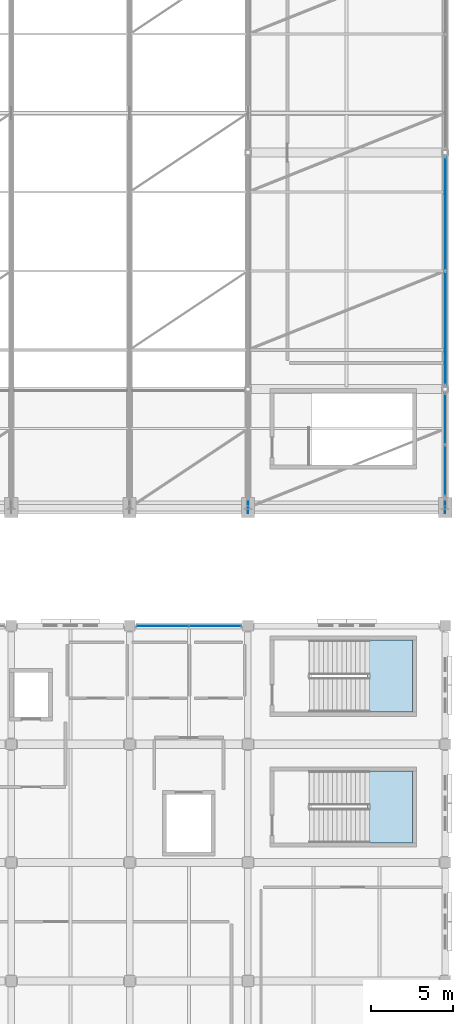
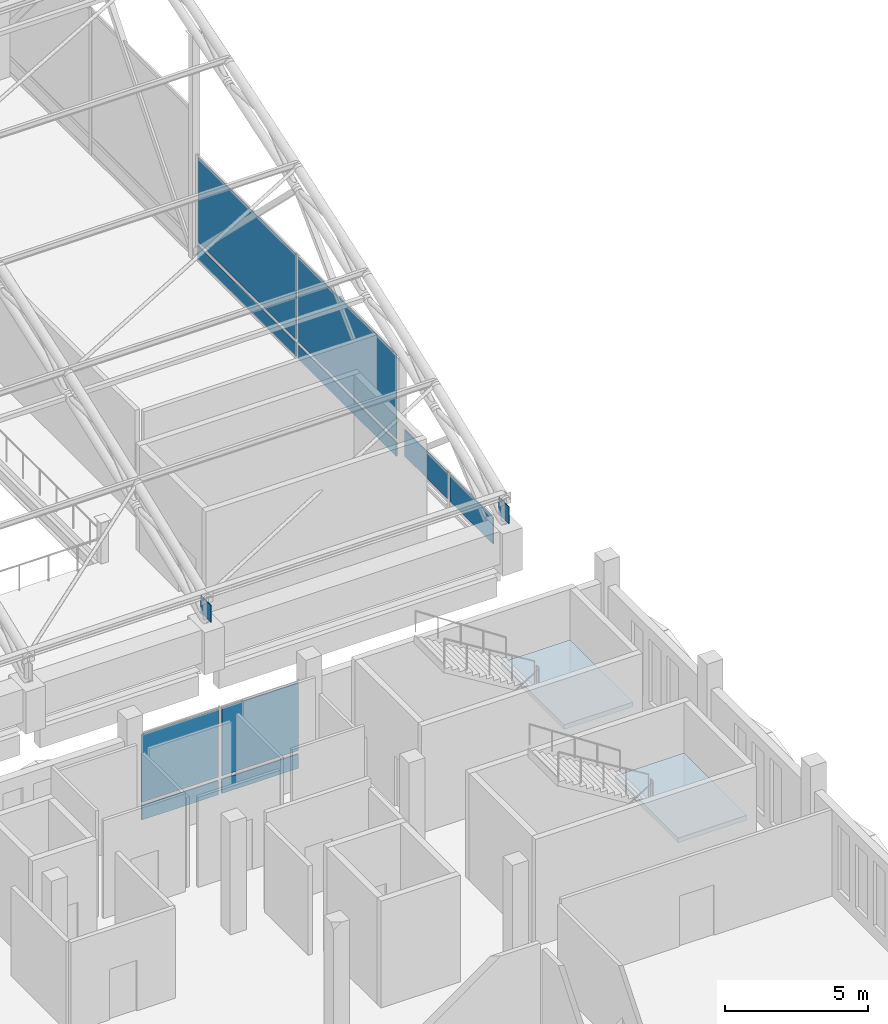
# One storey, part 65 of 116: 12 plates, 2 slabs, 5 elements without a shape of their own.
"""IFC4 building model written with IfcOpenShell, lengths in metres."""

from ifc_helpers import new_model, si_unit, direction, frame, origin, origin_2d, place, context, subcontext, project, spatial, polyline, rectangle, outline, extrude, material, layer, layer_set, type_object, element, aggregate, save


model = new_model("IFC4")

# Units and contexts
model_context = context("Model", 3, precision=1e-05, world=origin(), true_north=direction((0.0, 1.0)))
body_context = subcontext(model_context, "Body", "Model", "MODEL_VIEW")
ifc_project = project(units=[si_unit("LENGTHUNIT", "METRE"), si_unit("AREAUNIT", "SQUARE_METRE"), si_unit("VOLUMEUNIT", "CUBIC_METRE"), si_unit("PLANEANGLEUNIT", "RADIAN"), si_unit("MASSUNIT", "GRAM", prefix="KILO")], contexts=[model_context])

# Site, building, storey
site_placement = place(None, origin())
site = spatial("IfcSite", under=ifc_project, at=site_placement, CompositionType="ELEMENT")
building_placement = place(site_placement, origin())
building = spatial("IfcBuilding", under=site, at=building_placement, Name="Cendralis Lancet Convention Centre", CompositionType="ELEMENT")
storey_placement = place(building_placement, frame((0.0, 0.0, 15.0)))
storey = spatial("IfcBuildingStorey", under=building, at=storey_placement, Name="L03", CompositionType="ELEMENT", Elevation=15.0)

# Curtain wall, plates
ifc_material_1 = material(Name="Anodised bronze architectural aluminium", Category="aluminium")
curtain_wall_type_1 = type_object("IfcCurtainWallType", Name="ARC-CW-PL02", PredefinedType="USERDEFINED", material=ifc_material_1)
curtain_wall_1_placement = place(storey_placement, origin())
curtain_wall_1 = element("IfcCurtainWall", 1, at=curtain_wall_1_placement, inside=storey, type_object=curtain_wall_type_1, Name="L03 Curtain Wall CW-PL2 #141", ObjectType="CURTAIN WALL", PredefinedType="USERDEFINED")
ifc_material_2 = material(Name="Double-glazed low-E solar-control glass", Category="glass")
ifc_layer_1 = layer(ifc_material_2, 0.035888671875, Name="Double-glazed low-E solar-control glass")
ifc_layer_set_1 = layer_set([ifc_layer_1], Name="Double-glazed low-E solar-control glass")
plate_type_1 = type_object("IfcPlateType", Name="ARC-PL-GL02", PredefinedType="CURTAIN_PANEL", material=ifc_layer_set_1)
plate_1_placement = place(storey_placement, frame((208.800048828125, 48.612548828125, 0.443115234375), z_axis=(0.0, 0.0, 1.0), x_axis=(0.0, -1.0, 0.0)))
plate_1 = element("IfcPlate", 2, at=plate_1_placement, type_object=plate_type_1, Name="Vision Glass Panel CW2-CW-PL2-L03-141-PG0", PredefinedType="CURTAIN_PANEL", context=body_context, shape_type="SweptSolid", body=[
    extrude(rectangle(XDim=3.014892578125, YDim=0.035888671875, at=origin_2d()), origin(), (0.0, 0.0, 1.0), 1.126953125),
])
plate_2_placement = place(storey_placement, frame((208.800048828125, 45.4375, 0.443115234375), z_axis=(0.0, 0.0, 1.0), x_axis=(0.0, -1.0, 0.0)))
plate_2 = element("IfcPlate", 3, at=plate_2_placement, type_object=plate_type_1, Name="Vision Glass Panel CW2-CW-PL2-L03-141-PG1", PredefinedType="CURTAIN_PANEL", context=body_context, shape_type="SweptSolid", body=[
    extrude(rectangle(XDim=3.014892578125, YDim=0.035888671875, at=origin_2d()), origin(), (0.0, 0.0, 1.0), 1.126953125),
])
aggregate(curtain_wall_1, [plate_1, plate_2])

curtain_wall_2_placement = place(storey_placement, origin())
curtain_wall_2 = element("IfcCurtainWall", 4, at=curtain_wall_2_placement, inside=storey, type_object=curtain_wall_type_1, Name="L03 Curtain Wall CW-PL2 #142", ObjectType="CURTAIN WALL", PredefinedType="USERDEFINED")
plate_3_placement = place(storey_placement, frame((208.800048828125, 61.10009765625, 0.830078125), z_axis=(0.0, 0.0, 1.0), x_axis=(0.0, -1.0, 0.0)))
plate_3 = element("IfcPlate", 5, at=plate_3_placement, type_object=plate_type_1, Name="Vision Glass Panel CW2-CW-PL2-L03-142-PG0", PredefinedType="CURTAIN_PANEL", context=body_context, shape_type="SweptSolid", body=[
    extrude(rectangle(XDim=6.840087890625, YDim=0.035888671875, at=origin_2d()), origin(), (0.0, 0.0, 1.0), 3.5869140625),
])
plate_4_placement = place(storey_placement, frame((208.800048828125, 54.10009765625, 0.830078125), z_axis=(0.0, 0.0, 1.0), x_axis=(0.0, -1.0, 0.0)))
plate_4 = element("IfcPlate", 6, at=plate_4_placement, type_object=plate_type_1, Name="Vision Glass Panel CW2-CW-PL2-L03-142-PG1", PredefinedType="CURTAIN_PANEL", context=body_context, shape_type="SweptSolid", body=[
    extrude(rectangle(XDim=6.840087890625, YDim=0.035888671875, at=origin_2d()), origin(), (0.0, 0.0, 1.0), 3.5869140625),
])

curtain_wall_type_2 = type_object("IfcCurtainWallType", Name="ARC-CW-CL02", PredefinedType="USERDEFINED", material=ifc_material_1)
curtain_wall_3_placement = place(storey_placement, origin())
curtain_wall_3 = element("IfcCurtainWall", 7, at=curtain_wall_3_placement, inside=storey, type_object=curtain_wall_type_2, Name="L03 Curtain Wall CW-CL2 #190", ObjectType="CURTAIN WALL", PredefinedType="USERDEFINED")
ifc_layer_2 = layer(ifc_material_2, 0.035888671875, Name="Double-glazed low-E solar-control glass")
ifc_layer_set_2 = layer_set([ifc_layer_2], Name="Double-glazed low-E solar-control glass")
plate_type_2 = type_object("IfcPlateType", Name="ARC-PL-GL03", PredefinedType="CURTAIN_PANEL", material=ifc_layer_set_2)
plate_5_placement = place(storey_placement, frame((191.58740234375, 36.0, 0.820068359375), z_axis=(0.0, 0.0, 1.0), x_axis=(1.0, 0.0, 0.0)))
plate_5 = element("IfcPlate", 8, at=plate_5_placement, type_object=plate_type_2, Name="Vision Glass Panel CW2-CW-CL2-L03-190-PG0", PredefinedType="CURTAIN_PANEL", context=body_context, shape_type="SweptSolid", body=[
    extrude(rectangle(XDim=3.0849609375, YDim=0.035888671875, at=origin_2d()), origin(), (0.0, 0.0, 1.0), 2.89501953125),
])
plate_6_placement = place(storey_placement, frame((194.8125, 36.0, 0.820068359375), z_axis=(0.0, 0.0, 1.0), x_axis=(1.0, 0.0, 0.0)))
plate_6 = element("IfcPlate", 9, at=plate_6_placement, type_object=plate_type_2, Name="Vision Glass Panel CW2-CW-CL2-L03-190-PG1", PredefinedType="CURTAIN_PANEL", context=body_context, shape_type="SweptSolid", body=[
    extrude(rectangle(XDim=3.0849609375, YDim=0.035888671875, at=origin_2d()), origin(), (0.0, 0.0, 1.0), 2.89501953125),
])

# Plate
ifc_material_3 = material(Name="Insulated ceramic-fritted spandrel glass", Category="glass")
ifc_layer_3 = layer(ifc_material_3, 0.044921875, Name="Insulated ceramic-fritted spandrel glass")
ifc_layer_set_3 = layer_set([ifc_layer_3], Name="Insulated ceramic-fritted spandrel glass")
plate_type_3 = type_object("IfcPlateType", Name="ARC-PL-SP01", PredefinedType="CURTAIN_PANEL", material=ifc_layer_set_3)
plate_7_placement = place(storey_placement, frame((208.800048828125, 61.10009765625, 0.080078125), z_axis=(0.0, 0.0, 1.0), x_axis=(0.0, -1.0, 0.0)))
plate_7 = element("IfcPlate", 10, at=plate_7_placement, type_object=plate_type_3, Name="Spandrel Panel CW2-CW-PL2-L03-142-PS0", PredefinedType="CURTAIN_PANEL", context=body_context, shape_type="SweptSolid", body=[
    extrude(rectangle(XDim=6.840087890625, YDim=0.044921875, at=origin_2d()), origin(), (0.0, 0.0, 1.0), 0.590087890625),
])

plate_8_placement = place(storey_placement, frame((208.800048828125, 54.10009765625, 0.080078125), z_axis=(0.0, 0.0, 1.0), x_axis=(0.0, -1.0, 0.0)))
plate_8 = element("IfcPlate", 11, at=plate_8_placement, type_object=plate_type_3, Name="Spandrel Panel CW2-CW-PL2-L03-142-PS1", PredefinedType="CURTAIN_PANEL", context=body_context, shape_type="SweptSolid", body=[
    extrude(rectangle(XDim=6.840087890625, YDim=0.044921875, at=origin_2d()), origin(), (0.0, 0.0, 1.0), 0.590087890625),
])

aggregate(curtain_wall_2, [plate_7, plate_3, plate_8, plate_4])

plate_9_placement = place(storey_placement, frame((191.58740234375, 36.0, 0.06982421875), z_axis=(0.0, 0.0, 1.0), x_axis=(1.0, 0.0, 0.0)))
plate_9 = element("IfcPlate", 12, at=plate_9_placement, type_object=plate_type_3, Name="Spandrel Panel CW2-CW-CL2-L03-190-PS0", PredefinedType="CURTAIN_PANEL", context=body_context, shape_type="SweptSolid", body=[
    extrude(rectangle(XDim=3.0849609375, YDim=0.044921875, at=origin_2d()), origin(), (0.0, 0.0, 1.0), 0.610107421875),
])

plate_10_placement = place(storey_placement, frame((194.8125, 36.0, 0.06982421875), z_axis=(0.0, 0.0, 1.0), x_axis=(1.0, 0.0, 0.0)))
plate_10 = element("IfcPlate", 13, at=plate_10_placement, type_object=plate_type_3, Name="Spandrel Panel CW2-CW-CL2-L03-190-PS1", PredefinedType="CURTAIN_PANEL", context=body_context, shape_type="SweptSolid", body=[
    extrude(rectangle(XDim=3.0849609375, YDim=0.044921875, at=origin_2d()), origin(), (0.0, 0.0, 1.0), 0.610107421875),
])

aggregate(curtain_wall_3, [plate_9, plate_5, plate_10, plate_6])

# Plates
ifc_material_4 = material(Name="Steel S355", Category="steel")
ifc_layer_4 = layer(ifc_material_4, 0.028076171875, Name="Steel S355")
ifc_layer_set_4 = layer_set([ifc_layer_4], Name="Steel S355")
plate_type_4 = type_object("IfcPlateType", Name="STR-PL-GP28", PredefinedType="USERDEFINED", material=ifc_layer_set_4)
plate_11_placement = place(storey_placement, frame((208.800048828125, 43.199951171875, 1.96484375), z_axis=(0.0, 0.0, 1.0), x_axis=(0.0, 1.0, 0.0)))
element("IfcPlate", 14, at=plate_11_placement, inside=storey, type_object=plate_type_4, Name="Truss Gusset Plate GP-28 AT-V2-10-SPR-S", ObjectType="GUSSET PLATE", PredefinedType="USERDEFINED", context=body_context, shape_type="SweptSolid", body=[
    extrude(rectangle(XDim=0.719970703125, YDim=0.028076171875, at=origin_2d()), origin(), (0.0, 0.0, 1.0), 0.719970703125),
])
ifc_layer_5 = layer(ifc_material_4, 0.028076171875, Name="Steel S355")
ifc_layer_set_5 = layer_set([ifc_layer_5], Name="Steel S355")
plate_type_5 = type_object("IfcPlateType", Name="STR-PL-GP28-INT", PredefinedType="USERDEFINED", material=ifc_layer_set_5)
plate_12_placement = place(storey_placement, frame((196.800048828125, 43.199951171875, 1.96484375), z_axis=(0.0, 0.0, 1.0), x_axis=(0.0, 1.0, 0.0)))
element("IfcPlate", 15, at=plate_12_placement, inside=storey, type_object=plate_type_5, Name="Truss Gusset Plate GP-28 AT-V2-09-SPR-S", ObjectType="GUSSET PLATE", PredefinedType="USERDEFINED", context=body_context, shape_type="SweptSolid", body=[
    extrude(rectangle(XDim=0.719970703125, YDim=0.028076171875, at=origin_2d()), origin(), (0.0, 0.0, 1.0), 0.719970703125),
])

# Stair, slab
ifc_material_5 = material(Name="Concrete G35 (C35/45)", Category="concrete")
stair_type = type_object("IfcStairType", Name="ARC-ST-CORE", PredefinedType="HALF_TURN_STAIR", material=ifc_material_5)
stair_1_placement = place(storey_placement, origin())
stair_1 = element("IfcStair", 16, at=stair_1_placement, inside=storey, type_object=stair_type, Name="L03 Protected Exit Stair ST-15", PredefinedType="HALF_TURN_STAIR")
ifc_layer_6 = layer(ifc_material_5, 0.199951171875, Name="Concrete G35 (C35/45)")
ifc_layer_set_6 = layer_set([ifc_layer_6], Name="Concrete G35 (C35/45)")
slab_type = type_object("IfcSlabType", Name="STR-SL-LAND", PredefinedType="LANDING", material=ifc_layer_set_6)
slab_1_placement = place(storey_placement, frame((0.0, 0.0, 2.199951171875)))
slab_1 = element("IfcSlab", 17, at=slab_1_placement, type_object=slab_type, Name="ST-15 landing 1", PredefinedType="LANDING", context=body_context, shape_type="SweptSolid", body=[
    extrude(outline(polyline([(204.030029296875, 22.800048828125), (206.800048828125, 22.800048828125), (206.800048828125, 27.179931640625), (204.030029296875, 27.179931640625), (204.030029296875, 22.800048828125)])), origin(), (0.0, 0.0, 1.0), 0.199951171875),
])
aggregate(stair_1, [slab_1])

stair_2_placement = place(storey_placement, origin())
stair_2 = element("IfcStair", 18, at=stair_2_placement, inside=storey, type_object=stair_type, Name="L03 Protected Exit Stair ST-16", PredefinedType="HALF_TURN_STAIR")
slab_2_placement = place(storey_placement, frame((0.0, 0.0, 2.199951171875)))
slab_2 = element("IfcSlab", 19, at=slab_2_placement, type_object=slab_type, Name="ST-16 landing 1", PredefinedType="LANDING", context=body_context, shape_type="SweptSolid", body=[
    extrude(outline(polyline([(204.030029296875, 30.75), (206.800048828125, 30.75), (206.800048828125, 35.1298828125), (204.030029296875, 35.1298828125), (204.030029296875, 30.75)])), origin(), (0.0, 0.0, 1.0), 0.199951171875),
])
aggregate(stair_2, [slab_2])

save(model, "model.ifc")
